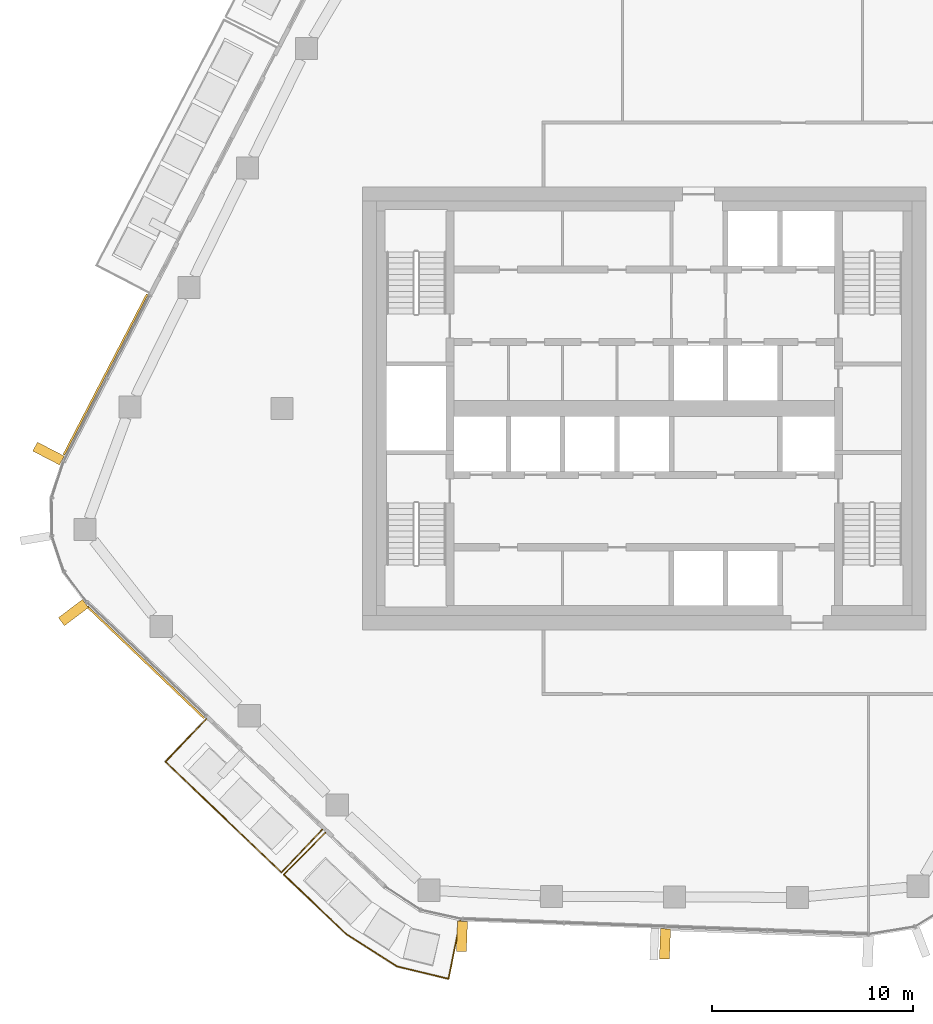
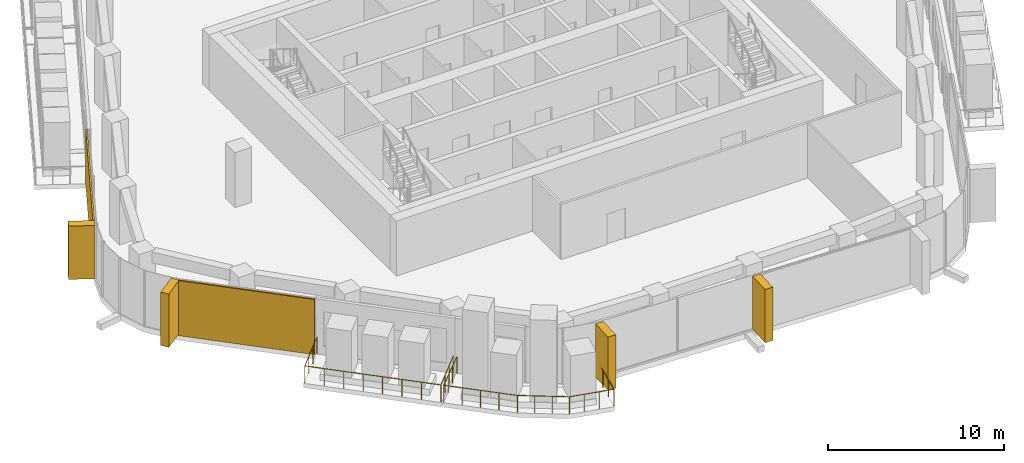
# One storey, part 15 of 21: 6 coverings, 2 railings, 4 elements without a shape of their own.
"""IFC4 building model written with IfcOpenShell, lengths in metres."""

from ifc_helpers import new_model, si_unit, direction, frame, origin, origin_2d, place, context, subcontext, project, spatial, rectangle, circle, extrude, material, layer, layer_set, material_profile, profile_set, type_object, element, aggregate, save


model = new_model("IFC4")

# Units and contexts
model_context = context("Model", 3, precision=1e-05, world=origin(), true_north=direction((0.0, 1.0)))
body_context = subcontext(model_context, "Body", "Model", "MODEL_VIEW")
ifc_project = project(units=[si_unit("LENGTHUNIT", "METRE"), si_unit("AREAUNIT", "SQUARE_METRE"), si_unit("VOLUMEUNIT", "CUBIC_METRE"), si_unit("PLANEANGLEUNIT", "RADIAN"), si_unit("MASSUNIT", "GRAM", prefix="KILO")], contexts=[model_context])

# Site, building, storey
site_placement = place(None, origin())
site = spatial("IfcSite", under=ifc_project, at=site_placement, CompositionType="ELEMENT")
building_placement = place(site_placement, origin())
building = spatial("IfcBuilding", under=site, at=building_placement, Name="Dongbaek Canopy Tower", CompositionType="ELEMENT")
storey_placement = place(building_placement, frame((0.0, 0.0, 274.800048828125)))
storey = spatial("IfcBuildingStorey", under=building, at=storey_placement, Name="L58", CompositionType="ELEMENT", Elevation=274.800048828125)

# Railings
ifc_material_1 = material(Name="Stainless steel", Category="steel")
railing_type = type_object("IfcRailingType", Name="Balcony balustrade 1200", PredefinedType="BALUSTRADE", material=ifc_material_1)
railing_1_placement = place(storey_placement, frame((-21.756591796875, -15.428466796875, 0.0)))
element("IfcRailing", 1, at=railing_1_placement, inside=storey, type_object=railing_type, Name="Balcony guard L58 2", PredefinedType="BALUSTRADE", context=body_context, shape_type="SweptSolid", body=[
    extrude(circle(Radius=0.02392578125, at=origin_2d()), frame((0.0, 0.0, 1.17578125), z_axis=(-0.690473771685, -0.723357429363, 0.0), x_axis=(0.723357429363, -0.690473771685, 0.0)), (0.0, 0.0, 1.0), 2.93994140625),
    extrude(circle(Radius=0.02392578125, at=origin_2d()), frame((-2.030029296875, -2.126708984375, 1.17578125), z_axis=(0.723346496958, -0.690485224562, 0.0), x_axis=(0.690485224562, 0.723346496958, 0.0)), (0.0, 0.0, 1.0), 7.96435546875),
    extrude(circle(Radius=0.02392578125, at=origin_2d()), frame((3.73095703125, -7.6259765625, 1.17578125), z_axis=(0.690473771685, 0.723357429363, 0.0), x_axis=(-0.723357429363, 0.690473771685, 0.0)), (0.0, 0.0, 1.0), 2.93994140625),
    extrude(circle(Radius=0.02099609375, at=origin_2d()), origin(), (0.0, 0.0, 1.0), 1.15185546875),
    extrude(circle(Radius=0.02099609375, at=origin_2d()), frame((-0.6767578125, -0.708984375, 0.0)), (0.0, 0.0, 1.0), 1.15185546875),
    extrude(circle(Radius=0.02099609375, at=origin_2d()), frame((-1.353271484375, -1.417724609375, 0.0)), (0.0, 0.0, 1.0), 1.15185546875),
    extrude(circle(Radius=0.02099609375, at=origin_2d()), frame((-2.030029296875, -2.126708984375, 0.0)), (0.0, 0.0, 1.0), 1.15185546875),
    extrude(circle(Radius=0.02099609375, at=origin_2d()), frame((-1.20703125, -2.912353515625, 0.0)), (0.0, 0.0, 1.0), 1.15185546875),
    extrude(circle(Radius=0.02099609375, at=origin_2d()), frame((-0.384033203125, -3.697998046875, 0.0)), (0.0, 0.0, 1.0), 1.15185546875),
    extrude(circle(Radius=0.02099609375, at=origin_2d()), frame((0.43896484375, -4.483642578125, 0.0)), (0.0, 0.0, 1.0), 1.15185546875),
    extrude(circle(Radius=0.02099609375, at=origin_2d()), frame((1.261962890625, -5.26904296875, 0.0)), (0.0, 0.0, 1.0), 1.15185546875),
    extrude(circle(Radius=0.02099609375, at=origin_2d()), frame((2.0849609375, -6.0546875, 0.0)), (0.0, 0.0, 1.0), 1.15185546875),
    extrude(circle(Radius=0.02099609375, at=origin_2d()), frame((2.907958984375, -6.84033203125, 0.0)), (0.0, 0.0, 1.0), 1.15185546875),
    extrude(circle(Radius=0.02099609375, at=origin_2d()), frame((3.73095703125, -7.6259765625, 0.0)), (0.0, 0.0, 1.0), 1.15185546875),
    extrude(circle(Radius=0.02099609375, at=origin_2d()), frame((4.40771484375, -6.9169921875, 0.0)), (0.0, 0.0, 1.0), 1.15185546875),
    extrude(circle(Radius=0.02099609375, at=origin_2d()), frame((5.084228515625, -6.208251953125, 0.0)), (0.0, 0.0, 1.0), 1.15185546875),
    extrude(circle(Radius=0.02099609375, at=origin_2d()), frame((5.760986328125, -5.499267578125, 0.0)), (0.0, 0.0, 1.0), 1.15185546875),
])
railing_2_placement = place(storey_placement, frame((-15.83642578125, -21.07958984375, 0.0)))
element("IfcRailing", 2, at=railing_2_placement, inside=storey, type_object=railing_type, Name="Balcony guard L58 6", PredefinedType="BALUSTRADE", context=body_context, shape_type="SweptSolid", body=[
    extrude(circle(Radius=0.02392578125, at=origin_2d()), frame((0.0, 0.0, 1.17578125), z_axis=(-0.705111430024, -0.709096517584, 0.0), x_axis=(0.709096517584, -0.705111430024, 0.0)), (0.0, 0.0, 1.0), 2.940673828125),
    extrude(circle(Radius=0.02392578125, at=origin_2d()), frame((-2.073486328125, -2.085205078125, 1.17578125), z_axis=(0.725283750395, -0.688450057313, 0.0), x_axis=(0.688450057313, 0.725283750395, 0.0)), (0.0, 0.0, 1.0), 4.308349609375),
    extrude(circle(Radius=0.02392578125, at=origin_2d()), frame((1.05126953125, -5.05126953125, 1.17578125), z_axis=(0.842627660144, -0.538496635422, 0.0), x_axis=(0.538496635422, 0.842627660144, 0.0)), (0.0, 0.0, 1.0), 2.96044921875),
    extrude(circle(Radius=0.02392578125, at=origin_2d()), frame((3.5458984375, -6.6455078125, 1.17578125), z_axis=(0.972181603918, -0.234228369339, 0.0), x_axis=(0.234228369339, 0.972181603918, 0.0)), (0.0, 0.0, 1.0), 2.644287109375),
    extrude(circle(Radius=0.02392578125, at=origin_2d()), frame((6.11669921875, -7.264892578125, 1.17578125), z_axis=(0.196515267577, 0.980500764716, 0.0), x_axis=(-0.980500764716, 0.196515267577, 0.0)), (0.0, 0.0, 1.0), 2.940673828125),
    extrude(circle(Radius=0.02099609375, at=origin_2d()), origin(), (0.0, 0.0, 1.0), 1.15185546875),
    extrude(circle(Radius=0.02099609375, at=origin_2d()), frame((-0.691162109375, -0.695068359375, 0.0)), (0.0, 0.0, 1.0), 1.15185546875),
    extrude(circle(Radius=0.02099609375, at=origin_2d()), frame((-1.38232421875, -1.39013671875, 0.0)), (0.0, 0.0, 1.0), 1.15185546875),
    extrude(circle(Radius=0.02099609375, at=origin_2d()), frame((-2.073486328125, -2.085205078125, 0.0)), (0.0, 0.0, 1.0), 1.15185546875),
    extrude(circle(Radius=0.02099609375, at=origin_2d()), frame((-1.292236328125, -2.82666015625, 0.0)), (0.0, 0.0, 1.0), 1.15185546875),
    extrude(circle(Radius=0.02099609375, at=origin_2d()), frame((-0.51123046875, -3.568359375, 0.0)), (0.0, 0.0, 1.0), 1.15185546875),
    extrude(circle(Radius=0.02099609375, at=origin_2d()), frame((0.27001953125, -4.309814453125, 0.0)), (0.0, 0.0, 1.0), 1.15185546875),
    extrude(circle(Radius=0.02099609375, at=origin_2d()), frame((1.05126953125, -5.05126953125, 0.0)), (0.0, 0.0, 1.0), 1.15185546875),
    extrude(circle(Radius=0.02099609375, at=origin_2d()), frame((1.8828125, -5.582763671875, 0.0)), (0.0, 0.0, 1.0), 1.15185546875),
    extrude(circle(Radius=0.02099609375, at=origin_2d()), frame((2.71435546875, -6.114013671875, 0.0)), (0.0, 0.0, 1.0), 1.15185546875),
    extrude(circle(Radius=0.02099609375, at=origin_2d()), frame((3.5458984375, -6.6455078125, 0.0)), (0.0, 0.0, 1.0), 1.15185546875),
    extrude(circle(Radius=0.02099609375, at=origin_2d()), frame((4.40283203125, -6.85205078125, 0.0)), (0.0, 0.0, 1.0), 1.15185546875),
    extrude(circle(Radius=0.02099609375, at=origin_2d()), frame((5.259765625, -7.058349609375, 0.0)), (0.0, 0.0, 1.0), 1.15185546875),
    extrude(circle(Radius=0.02099609375, at=origin_2d()), frame((6.11669921875, -7.264892578125, 0.0)), (0.0, 0.0, 1.0), 1.15185546875),
    extrude(circle(Radius=0.02099609375, at=origin_2d()), frame((6.309326171875, -6.3037109375, 0.0)), (0.0, 0.0, 1.0), 1.15185546875),
    extrude(circle(Radius=0.02099609375, at=origin_2d()), frame((6.501953125, -5.3427734375, 0.0)), (0.0, 0.0, 1.0), 1.15185546875),
    extrude(circle(Radius=0.02099609375, at=origin_2d()), frame((6.694580078125, -4.381591796875, 0.0)), (0.0, 0.0, 1.0), 1.15185546875),
])

# Curtain wall, covering
ifc_material_2 = material(Name="Aluminium 6063-T6 pale anodised", Category="aluminium")
ifc_layer_1 = layer(ifc_material_2, 0.199951171875)
ifc_layer_set_1 = layer_set([ifc_layer_1], Name="CW-1 unitised tower curtain wall")
curtain_wall_type = type_object("IfcCurtainWallType", Name="CW-1 unitised tower curtain wall", PredefinedType="NOTDEFINED", material=ifc_layer_set_1)
curtain_wall_1_placement = place(storey_placement, origin())
curtain_wall_1 = element("IfcCurtainWall", 3, at=curtain_wall_1_placement, inside=storey, type_object=curtain_wall_type, Name="CW-1 curtain wall F2.1", PredefinedType="NOTDEFINED")
ifc_material_3 = material(Name="Perforated aluminium 6063-T6 pale metal screen", Category="aluminium")
ifc_layer_2 = layer(ifc_material_3, 0.10009765625)
ifc_layer_set_2 = layer_set([ifc_layer_2], Name="Facet screen FS1 100 pale metal")
covering_type_1 = type_object("IfcCoveringType", Name="Facet screen FS1 100 pale metal", PredefinedType="CLADDING", material=ifc_layer_set_2)
covering_1_placement = place(storey_placement, frame((-26.76611328125, 1.686767578125, 0.0), z_axis=(0.0, 0.0, 1.0), x_axis=(-0.460879893376, -0.887462519706, 0.0)))
covering_1 = element("IfcCovering", 4, at=covering_1_placement, type_object=covering_type_1, Name="Facet screen L58 F2", PredefinedType="CLADDING", context=body_context, shape_type="SweptSolid", body=[
    extrude(rectangle(XDim=9.0078125, YDim=0.10009765625, at=origin_2d()), origin(), (0.0, 0.0, 1.0), 3.820068359375),
])

curtain_wall_2_placement = place(storey_placement, origin())
curtain_wall_2 = element("IfcCurtainWall", 5, at=curtain_wall_2_placement, inside=storey, type_object=curtain_wall_type, Name="CW-1 curtain wall F3.1", PredefinedType="NOTDEFINED")
covering_2_placement = place(storey_placement, frame((-24.76953125, -12.6162109375, 0.0), z_axis=(0.0, 0.0, 1.0), x_axis=(0.723350484434, -0.690481047292, 0.0)))
covering_2 = element("IfcCovering", 6, at=covering_2_placement, type_object=covering_type_1, Name="Facet screen L58 F3", PredefinedType="CLADDING", context=body_context, shape_type="SweptSolid", body=[
    extrude(rectangle(XDim=8.0224609375, YDim=0.10009765625, at=origin_2d()), origin(), (0.0, 0.0, 1.0), 3.820068359375),
])
aggregate(curtain_wall_2, [covering_2])

# Covering
ifc_material_4 = material(Name="Aluminium 6063-T6 pale metal fin", Category="aluminium")
ifc_material_profile = material_profile(ifc_material_4, rectangle(XDim=1.5, YDim=0.5, at=origin_2d()), Name="Fin FN1 500 x 1500 pale metal")
ifc_profile_set = profile_set([ifc_material_profile], Name="Aluminium 6063-T6 pale metal fin")
covering_type_2 = type_object("IfcCoveringType", Name="Fin FN1 500 x 1500 pale metal", PredefinedType="CLADDING", material=ifc_profile_set)
covering_3_placement = place(storey_placement, frame((-29.60009765625, -2.2431640625, 0.119873046875), z_axis=(0.0, 0.0, 1.0), x_axis=(-0.887462222541, 0.460880465591, 0.0)))
covering_3 = element("IfcCovering", 7, at=covering_3_placement, type_object=covering_type_2, Name="Fin F2.1.3", PredefinedType="CLADDING", context=body_context, shape_type="SweptSolid", body=[
    extrude(rectangle(XDim=1.5, YDim=0.5, at=origin_2d()), origin(), (0.0, 0.0, 1.0), 3.7001953125),
])

aggregate(curtain_wall_1, [covering_3, covering_1])

# Curtain wall, covering
curtain_wall_3_placement = place(storey_placement, origin())
curtain_wall_3 = element("IfcCurtainWall", 8, at=curtain_wall_3_placement, inside=storey, type_object=curtain_wall_type, Name="CW-1 curtain wall K3.1", PredefinedType="NOTDEFINED")
covering_4_placement = place(storey_placement, frame((-28.359375, -10.1474609375, 0.119873046875), z_axis=(0.0, 0.0, 1.0), x_axis=(-0.797480818021, -0.603344300453, 0.0)))
covering_4 = element("IfcCovering", 9, at=covering_4_placement, type_object=covering_type_2, Name="Fin K3.1.5", PredefinedType="CLADDING", context=body_context, shape_type="SweptSolid", body=[
    extrude(rectangle(XDim=1.5, YDim=0.5, at=origin_2d()), origin(), (0.0, 0.0, 1.0), 3.7001953125),
])
aggregate(curtain_wall_3, [covering_4])

# Curtain wall, coverings
curtain_wall_4_placement = place(storey_placement, origin())
curtain_wall_4 = element("IfcCurtainWall", 10, at=curtain_wall_4_placement, inside=storey, type_object=curtain_wall_type, Name="CW-1 curtain wall F4.1", PredefinedType="NOTDEFINED")
covering_5_placement = place(storey_placement, frame((-9.052978515625, -26.23486328125, 0.119873046875), z_axis=(0.0, 0.0, 1.0), x_axis=(-0.036873891921, -0.999319926798, 0.0)))
covering_5 = element("IfcCovering", 11, at=covering_5_placement, type_object=covering_type_2, Name="Fin F4.1.1", PredefinedType="CLADDING", context=body_context, shape_type="SweptSolid", body=[
    extrude(rectangle(XDim=1.5, YDim=0.5, at=origin_2d()), origin(), (0.0, 0.0, 1.0), 3.7001953125),
])
covering_6_placement = place(storey_placement, frame((1.035888671875, -26.607177734375, 0.119873046875), z_axis=(0.0, 0.0, 1.0), x_axis=(-0.036873891921, -0.999319926798, 0.0)))
covering_6 = element("IfcCovering", 12, at=covering_6_placement, type_object=covering_type_2, Name="Fin F4.1.3", PredefinedType="CLADDING", context=body_context, shape_type="SweptSolid", body=[
    extrude(rectangle(XDim=1.5, YDim=0.5, at=origin_2d()), origin(), (0.0, 0.0, 1.0), 3.7001953125),
])
aggregate(curtain_wall_4, [covering_5, covering_6])

save(model, "model.ifc")
